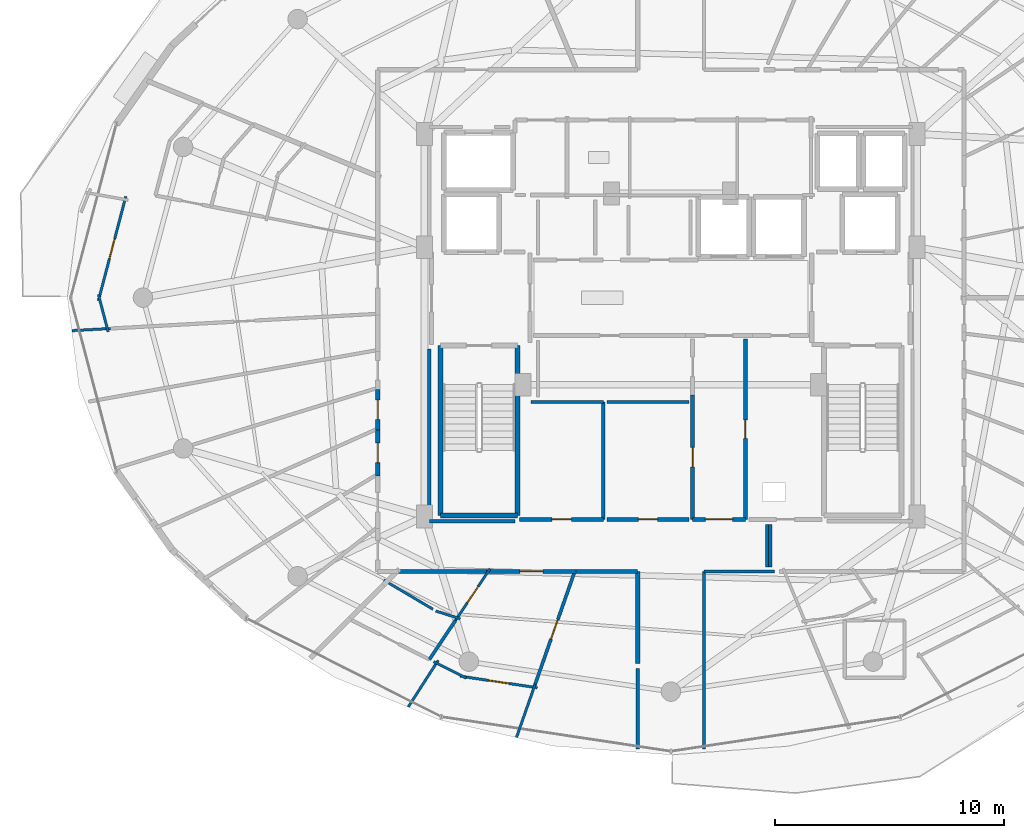
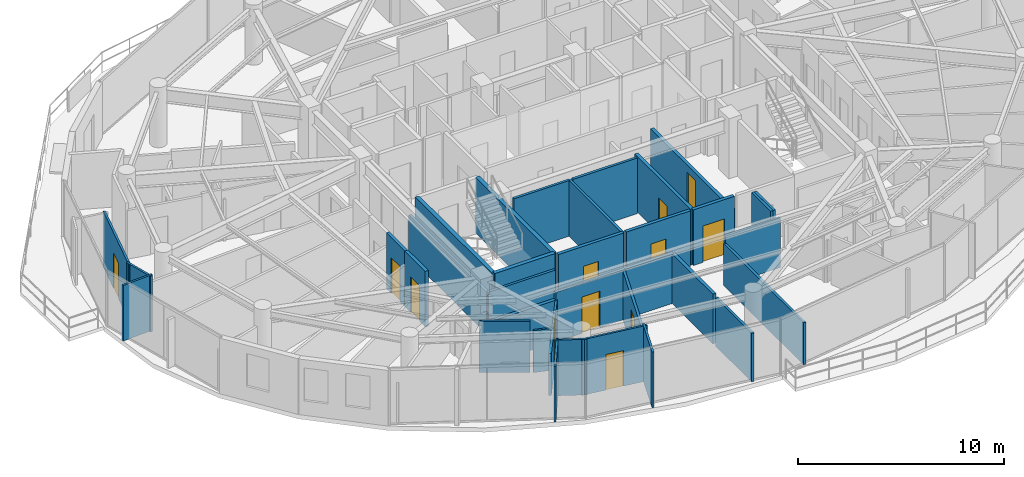
# One storey, part 20 of 29: 36 walls, 12 doors, 12 openings.
"""IFC4 building model written with IfcOpenShell, lengths in metres."""

from ifc_helpers import new_model, si_unit, direction, frame, frame_2d, origin, place, context, subcontext, project, spatial, rectangle, extrude, material, layer, layer_set, type_object, element, fill, save


model = new_model("IFC4")

# Units and contexts
model_context = context("Model", 3, precision=1e-05, world=origin(), true_north=direction((0.0, 1.0)))
body_context = subcontext(model_context, "Body", "Model", "MODEL_VIEW")
ifc_project = project(units=[si_unit("LENGTHUNIT", "METRE"), si_unit("AREAUNIT", "SQUARE_METRE"), si_unit("VOLUMEUNIT", "CUBIC_METRE"), si_unit("PLANEANGLEUNIT", "RADIAN"), si_unit("MASSUNIT", "GRAM", prefix="KILO")], contexts=[model_context])

# Site, building, storey
site_placement = place(None, origin())
site = spatial("IfcSite", under=ifc_project, at=site_placement, CompositionType="ELEMENT")
building_placement = place(site_placement, origin())
building = spatial("IfcBuilding", under=site, at=building_placement, Name="Vorneva Point Tower", CompositionType="ELEMENT")
storey_placement = place(building_placement, frame((0.0, 0.0, 259.10009765625)))
storey = spatial("IfcBuildingStorey", under=building, at=storey_placement, Name="L70", CompositionType="ELEMENT", Elevation=259.10009765625)

# Wall, opening, door
ifc_material_1 = material(Name="Fire-rated acoustic gypsum stud partition", Category="gypsum")
ifc_layer_1 = layer(ifc_material_1, 0.110107421875)
ifc_layer_set_1 = layer_set([ifc_layer_1], Name="Fire-rated acoustic gypsum stud partition")
wall_type_1 = type_object("IfcWallType", Name="WL-PART-110", PredefinedType="PARTITIONING", material=ifc_layer_set_1)
wall_1_placement = place(storey_placement, frame((14.20263671875, 30.41845703125, 0.0), z_axis=(0.0, 0.0, 1.0), x_axis=(-0.254460123068, -0.967083267236, 0.0)))
wall_1 = element("IfcWall", 1, at=wall_1_placement, inside=storey, type_object=wall_type_1, Name="L70 Interior Partition 075", PredefinedType="PARTITIONING", context=body_context, shape_type="SweptSolid", body=[
    extrude(rectangle(XDim=4.708984375, YDim=0.110107421875, at=frame_2d((2.3544921875, 0.0))), origin(), (0.0, 0.0, 1.0), 3.289794921875),
])
opening_1_placement = place(wall_1_placement, frame((1.904296875, 0.0, 0.0)))
opening_1 = element("IfcOpeningElement", 2, at=opening_1_placement, cuts=wall_1, Name="Opening ID-01", PredefinedType="OPENING", context=body_context, shape_type="SweptSolid", body=[
    extrude(rectangle(XDim=0.89990234375, YDim=2.10009765625, at=frame_2d((0.449951171875, 1.050048828125))), frame((0.0, 0.06982421875, 0.0), z_axis=(0.0, -1.0, 0.0), x_axis=(1.0, 0.0, 0.0)), (0.0, 0.0, 1.0), 0.139892578125),
])
ifc_material_2 = material(Name="Engineered oak fire-rated door leaf", Category="wood")
door_type_1 = type_object("IfcDoorType", Name="DR-ROOM-900", OperationType="NOTDEFINED", PredefinedType="DOOR", material=ifc_material_2)
door_1_placement = place(opening_1_placement, origin())
door_1 = element("IfcDoor", 3, at=door_1_placement, inside=storey, type_object=door_type_1, Name="L70 Door Living and Dining Room L70-01 / Kitchen L70-01", OperationType="SINGLE_SWING_LEFT", OverallHeight=2.10009765625, OverallWidth=0.89990234375, PredefinedType="DOOR", context=body_context, shape_type="SweptSolid", body=[
    extrude(rectangle(XDim=0.89990234375, YDim=2.10009765625, at=frame_2d((0.449951171875, 1.050048828125))), frame((0.0, 0.02490234375, 0.0), z_axis=(0.0, -1.0, 0.0), x_axis=(1.0, 0.0, 0.0)), (0.0, 0.0, 1.0), 0.050048828125),
])
fill(opening_1, door_1)

# Walls
wall_2_placement = place(storey_placement, frame((13.00439453125, 26.135498046875, 0.0), z_axis=(0.0, 0.0, 1.0), x_axis=(0.254278727694, -0.967130978018, 0.0)))
element("IfcWall", 4, at=wall_2_placement, inside=storey, type_object=wall_type_1, Name="L70 Interior Partition 076", PredefinedType="PARTITIONING", context=body_context, shape_type="SweptSolid", body=[
    extrude(rectangle(XDim=1.68017578125, YDim=0.110107421875, at=frame_2d((0.840087890625, 0.0))), origin(), (0.0, 0.0, 1.0), 3.289794921875),
])
wall_3_placement = place(storey_placement, frame((13.535888671875, 24.65380859375, 0.0), z_axis=(0.0, 0.0, 1.0), x_axis=(-0.998470551828, -0.055286138695, 0.0)))
element("IfcWall", 5, at=wall_3_placement, inside=storey, type_object=wall_type_1, Name="L70 Interior Partition 077", PredefinedType="PARTITIONING", context=body_context, shape_type="SweptSolid", body=[
    extrude(rectangle(XDim=1.69140625, YDim=0.110107421875, at=frame_2d((0.845703125, 0.0))), origin(), (0.0, 0.0, 1.0), 3.289794921875),
])

# Wall, opening, door
wall_4_placement = place(storey_placement, frame((30.103759765625, 14.16650390625, 0.0), z_axis=(0.0, 0.0, 1.0), x_axis=(-0.555011080332, -0.831842954354, 0.0)))
wall_4 = element("IfcWall", 6, at=wall_4_placement, inside=storey, type_object=wall_type_1, Name="L70 Interior Partition 095", PredefinedType="PARTITIONING", context=body_context, shape_type="SweptSolid", body=[
    extrude(rectangle(XDim=2.718017578125, YDim=0.110107421875, at=frame_2d((1.35888671875, 0.0))), origin(), (0.0, 0.0, 1.0), 2.48193359375),
])
opening_2_placement = place(wall_4_placement, frame((0.93408203125, 0.0, 0.0)))
opening_2 = element("IfcOpeningElement", 7, at=opening_2_placement, cuts=wall_4, Name="Opening ID-02", PredefinedType="OPENING", context=body_context, shape_type="SweptSolid", body=[
    extrude(rectangle(XDim=0.85009765625, YDim=2.10009765625, at=frame_2d((0.425048828125, 1.050048828125))), frame((0.0, 0.06982421875, 0.0), z_axis=(0.0, -1.0, 0.0), x_axis=(1.0, 0.0, 0.0)), (0.0, 0.0, 1.0), 0.139892578125),
])
door_type_2 = type_object("IfcDoorType", Name="DR-BATH-850", OperationType="NOTDEFINED", PredefinedType="DOOR", material=ifc_material_2)
door_2_placement = place(opening_2_placement, origin())
door_2 = element("IfcDoor", 8, at=door_2_placement, inside=storey, type_object=door_type_2, Name="L70 Door Living and Dining Room L70-02 / Bathroom L70-02", OperationType="SINGLE_SWING_RIGHT", OverallHeight=2.10009765625, OverallWidth=0.85009765625, PredefinedType="DOOR", context=body_context, shape_type="SweptSolid", body=[
    extrude(rectangle(XDim=0.85009765625, YDim=2.10009765625, at=frame_2d((0.425048828125, 1.050048828125))), frame((0.0, 0.02490234375, 0.0), z_axis=(0.0, -1.0, 0.0), x_axis=(1.0, 0.0, 0.0)), (0.0, 0.0, 1.0), 0.050048828125),
])
fill(opening_2, door_2)

# Walls
wall_5_placement = place(storey_placement, frame((26.534423828125, 8.132080078125, 0.0), z_axis=(0.0, 0.0, 1.0), x_axis=(0.540114041626, 0.841591838149, 0.0)))
element("IfcWall", 9, at=wall_5_placement, inside=storey, type_object=wall_type_1, Name="L70 Interior Partition 096", PredefinedType="PARTITIONING", context=body_context, shape_type="SweptSolid", body=[
    extrude(rectangle(XDim=2.41650390625, YDim=0.110107421875, at=frame_2d((1.208251953125, 0.0))), origin(), (0.0, 0.0, 1.0), 3.289794921875),
])
wall_6_placement = place(storey_placement, frame((27.638916015625, 10.111083984375, 0.0), z_axis=(0.0, 0.0, 1.0), x_axis=(0.892614165752, -0.45082141819, 0.0)))
element("IfcWall", 10, at=wall_6_placement, inside=storey, type_object=wall_type_1, Name="L70 Interior Partition 097", PredefinedType="PARTITIONING", context=body_context, shape_type="SweptSolid", body=[
    extrude(rectangle(XDim=1.595458984375, YDim=0.110107421875, at=frame_2d((0.7978515625, 0.0))), origin(), (0.0, 0.0, 1.0), 3.289794921875),
])

# Wall, opening, door
wall_7_placement = place(storey_placement, frame((28.799560546875, 9.475830078125, 0.0), z_axis=(0.0, 0.0, 1.0), x_axis=(0.988903707347, -0.148557926731, 0.0)))
wall_7 = element("IfcWall", 11, at=wall_7_placement, inside=storey, type_object=wall_type_1, Name="L70 Interior Partition 098", PredefinedType="PARTITIONING", context=body_context, shape_type="SweptSolid", body=[
    extrude(rectangle(XDim=3.403564453125, YDim=0.110107421875, at=frame_2d((1.70166015625, 0.0))), origin(), (0.0, 0.0, 1.0), 3.289794921875),
])
opening_3_placement = place(wall_7_placement, frame((1.251708984375, 0.0, 0.0)))
opening_3 = element("IfcOpeningElement", 12, at=opening_3_placement, cuts=wall_7, Name="Opening ID-01", PredefinedType="OPENING", context=body_context, shape_type="SweptSolid", body=[
    extrude(rectangle(XDim=0.89990234375, YDim=2.10009765625, at=frame_2d((0.449951171875, 1.050048828125))), frame((0.0, 0.06982421875, 0.0), z_axis=(0.0, -1.0, 0.0), x_axis=(1.0, 0.0, 0.0)), (0.0, 0.0, 1.0), 0.139892578125),
])
door_3_placement = place(opening_3_placement, origin())
door_3 = element("IfcDoor", 13, at=door_3_placement, inside=storey, type_object=door_type_1, Name="L70 Door Living and Dining Room L70-02 / Kitchen L70-02", OperationType="SINGLE_SWING_RIGHT", OverallHeight=2.10009765625, OverallWidth=0.89990234375, PredefinedType="DOOR", context=body_context, shape_type="SweptSolid", body=[
    extrude(rectangle(XDim=0.89990234375, YDim=2.10009765625, at=frame_2d((0.449951171875, 1.050048828125))), frame((0.0, 0.02490234375, 0.0), z_axis=(0.0, -1.0, 0.0), x_axis=(1.0, 0.0, 0.0)), (0.0, 0.0, 1.0), 0.050048828125),
])
fill(opening_3, door_3)

# Walls
wall_8_placement = place(storey_placement, frame((25.472412109375, 13.664306640625, 0.0), z_axis=(0.0, 0.0, 1.0), x_axis=(0.860546797705, -0.509371386082, 0.0)))
element("IfcWall", 14, at=wall_8_placement, inside=storey, type_object=wall_type_1, Name="L70 Interior Partition 102", PredefinedType="PARTITIONING", context=body_context, shape_type="SweptSolid", body=[
    extrude(rectangle(XDim=2.484619140625, YDim=0.110107421875, at=frame_2d((1.2421875, 0.0))), origin(), (0.0, 0.0, 1.0), 3.02197265625),
])
wall_9_placement = place(storey_placement, frame((27.736572265625, 12.320556640625, 0.0), z_axis=(0.0, 0.0, 1.0), x_axis=(0.952754298981, -0.303742071127, 0.0)))
element("IfcWall", 15, at=wall_9_placement, inside=storey, type_object=wall_type_1, Name="L70 Interior Partition 103", PredefinedType="PARTITIONING", context=body_context, shape_type="SweptSolid", body=[
    extrude(rectangle(XDim=1.122802734375, YDim=0.110107421875, at=frame_2d((0.5615234375, 0.0))), origin(), (0.0, 0.0, 1.0), 2.48193359375),
])
wall_10_placement = place(storey_placement, frame((31.258544921875, 6.802978515625, 0.0), z_axis=(0.0, 0.0, 1.0), x_axis=(0.331407174133, 0.943487829775, 0.0)))
element("IfcWall", 16, at=wall_10_placement, inside=storey, type_object=wall_type_1, Name="L70 Interior Partition 104", PredefinedType="PARTITIONING", context=body_context, shape_type="SweptSolid", body=[
    extrude(rectangle(XDim=2.458984375, YDim=0.110107421875, at=frame_2d((1.2294921875, 0.0))), origin(), (0.0, 0.0, 1.0), 3.289794921875),
])
ifc_layer_2 = layer(ifc_material_1, 0.139892578125)
ifc_layer_set_2 = layer_set([ifc_layer_2], Name="Fire-rated acoustic gypsum stud partition")
wall_type_2 = type_object("IfcWallType", Name="WL-PART-140", PredefinedType="PARTITIONING", material=ifc_layer_set_2)
wall_11_placement = place(storey_placement, frame((35.050048828125, 16.320068359375, 0.0), z_axis=(0.0, 0.0, 1.0), x_axis=(0.0, 1.0, 0.0)))
element("IfcWall", 17, at=wall_11_placement, inside=storey, type_object=wall_type_2, Name="L70 Interior Partition 028", PredefinedType="PARTITIONING", context=body_context, shape_type="SweptSolid", body=[
    extrude(rectangle(XDim=5.1298828125, YDim=0.139892578125, at=frame_2d((2.56494140625, 0.0))), origin(), (0.0, 0.0, 1.0), 3.289794921875),
])
wall_12_placement = place(storey_placement, frame((35.050048828125, 21.449951171875, 0.0), z_axis=(0.0, 0.0, 1.0), x_axis=(-1.0, 0.0, 0.0)))
element("IfcWall", 18, at=wall_12_placement, inside=storey, type_object=wall_type_2, Name="L70 Interior Partition 029", PredefinedType="PARTITIONING", context=body_context, shape_type="SweptSolid", body=[
    extrude(rectangle(XDim=3.155029296875, YDim=0.139892578125, at=frame_2d((1.57763671875, 0.0))), origin(), (0.0, 0.0, 1.0), 3.289794921875),
])
wall_13_placement = place(storey_placement, frame((38.800048828125, 21.449951171875, 0.0), z_axis=(0.0, 0.0, 1.0), x_axis=(-1.0, 0.0, 0.0)))
element("IfcWall", 19, at=wall_13_placement, inside=storey, type_object=wall_type_2, Name="L70 Interior Partition 031", PredefinedType="PARTITIONING", context=body_context, shape_type="SweptSolid", body=[
    extrude(rectangle(XDim=3.60009765625, YDim=0.139892578125, at=frame_2d((1.800048828125, 0.0))), origin(), (0.0, 0.0, 1.0), 3.289794921875),
])
wall_14_placement = place(storey_placement, frame((28.59521484375, 11.905517578125, 0.0), z_axis=(0.0, 0.0, 1.0), x_axis=(-0.555085472594, -0.831793314541, 0.0)))
element("IfcWall", 20, at=wall_14_placement, inside=storey, type_object=wall_type_2, Name="L70 Interior Partition 100", PredefinedType="PARTITIONING", context=body_context, shape_type="SweptSolid", body=[
    extrude(rectangle(XDim=2.046875, YDim=0.139892578125, at=frame_2d((1.0234375, 0.0))), origin(), (0.0, 0.0, 1.0), 2.48193359375),
])

# Wall, opening, door
wall_15_placement = place(storey_placement, frame((32.027099609375, 8.990966796875, 0.0), z_axis=(0.0, 0.0, 1.0), x_axis=(0.331214316781, 0.943555550224, 0.0)))
wall_15 = element("IfcWall", 21, at=wall_15_placement, inside=storey, type_object=wall_type_2, Name="L70 Interior Partition 101", PredefinedType="PARTITIONING", context=body_context, shape_type="SweptSolid", body=[
    extrude(rectangle(XDim=5.36181640625, YDim=0.139892578125, at=frame_2d((2.680908203125, 0.0))), origin(), (0.0, 0.0, 1.0), 2.8740234375),
])
opening_4_placement = place(wall_15_placement, frame((2.230712890625, 0.0, 0.0)))
opening_4 = element("IfcOpeningElement", 22, at=opening_4_placement, cuts=wall_15, Name="Opening ID-01", PredefinedType="OPENING", context=body_context, shape_type="SweptSolid", body=[
    extrude(rectangle(XDim=0.89990234375, YDim=2.10009765625, at=frame_2d((0.449951171875, 1.050048828125))), frame((0.0, 0.0849609375, 0.0), z_axis=(0.0, -1.0, 0.0), x_axis=(1.0, 0.0, 0.0)), (0.0, 0.0, 1.0), 0.169677734375),
])
door_4_placement = place(opening_4_placement, origin())
door_4 = element("IfcDoor", 23, at=door_4_placement, inside=storey, type_object=door_type_1, Name="L70 Door Living and Dining Room L70-02 / Master Bedroom L70-02.1", OperationType="SINGLE_SWING_LEFT", OverallHeight=2.10009765625, OverallWidth=0.89990234375, PredefinedType="DOOR", context=body_context, shape_type="SweptSolid", body=[
    extrude(rectangle(XDim=0.89990234375, YDim=2.10009765625, at=frame_2d((0.449951171875, 1.050048828125))), frame((0.0, 0.02490234375, 0.0), z_axis=(0.0, -1.0, 0.0), x_axis=(1.0, 0.0, 0.0)), (0.0, 0.0, 1.0), 0.050048828125),
])
fill(opening_4, door_4)

# Walls
wall_16_placement = place(storey_placement, frame((36.550048828125, 9.802978515625, 0.0), z_axis=(0.0, 0.0, 1.0), x_axis=(0.0, -1.0, 0.0)))
element("IfcWall", 24, at=wall_16_placement, inside=storey, type_object=wall_type_2, Name="L70 Interior Closure Partition 152", PredefinedType="PARTITIONING", context=body_context, shape_type="SweptSolid", body=[
    extrude(rectangle(XDim=3.50390625, YDim=0.139892578125, at=frame_2d((1.751953125, 0.0))), origin(), (0.0, 0.0, 1.0), 2.8740234375),
])
wall_17_placement = place(storey_placement, frame((39.449951171875, 6.299072265625, 0.0), z_axis=(0.0, 0.0, 1.0), x_axis=(0.0, 1.0, 0.0)))
element("IfcWall", 25, at=wall_17_placement, inside=storey, type_object=wall_type_2, Name="L70 Interior Closure Partition 153", PredefinedType="PARTITIONING", context=body_context, shape_type="SweptSolid", body=[
    extrude(rectangle(XDim=7.7509765625, YDim=0.139892578125, at=frame_2d((3.87548828125, 0.0))), origin(), (0.0, 0.0, 1.0), 2.48193359375),
])
wall_18_placement = place(storey_placement, frame((39.449951171875, 14.050048828125, 0.0), z_axis=(0.0, 0.0, 1.0), x_axis=(1.0, 0.0, 0.0)))
element("IfcWall", 26, at=wall_18_placement, inside=storey, type_object=wall_type_2, Name="L70 Interior Closure Partition 154", PredefinedType="PARTITIONING", context=body_context, shape_type="SweptSolid", body=[
    extrude(rectangle(XDim=3.080078125, YDim=0.139892578125, at=frame_2d((1.5400390625, 0.0))), origin(), (0.0, 0.0, 1.0), 2.935791015625),
])
wall_19_placement = place(storey_placement, frame((42.340087890625, 14.25, 0.0), z_axis=(0.0, 0.0, 1.0), x_axis=(0.0, 1.0, 0.0)))
element("IfcWall", 27, at=wall_19_placement, inside=storey, type_object=wall_type_2, Name="L70 Interior Closure Partition 157", PredefinedType="PARTITIONING", context=body_context, shape_type="SweptSolid", body=[
    extrude(rectangle(XDim=1.85009765625, YDim=0.139892578125, at=frame_2d((0.925048828125, 0.0))), origin(), (0.0, 0.0, 1.0), 3.289794921875),
])
wall_20_placement = place(storey_placement, frame((27.449951171875, 23.75390625, 0.0), z_axis=(0.0, 0.0, 1.0), x_axis=(0.0, -1.0, 0.0)))
element("IfcWall", 28, at=wall_20_placement, inside=storey, type_object=wall_type_2, Name="L70 Interior Closure Partition 165", PredefinedType="PARTITIONING", context=body_context, shape_type="SweptSolid", body=[
    extrude(rectangle(XDim=7.513916015625, YDim=0.139892578125, at=frame_2d((3.7568359375, 0.0))), origin(), (0.0, 0.0, 1.0), 2.48193359375),
])
wall_21_placement = place(storey_placement, frame((27.449951171875, 16.239990234375, 0.0), z_axis=(0.0, 0.0, 1.0), x_axis=(1.0, 0.0, 0.0)))
element("IfcWall", 29, at=wall_21_placement, inside=storey, type_object=wall_type_2, Name="L70 Interior Closure Partition 166", PredefinedType="PARTITIONING", context=body_context, shape_type="SweptSolid", body=[
    extrude(rectangle(XDim=3.7451171875, YDim=0.139892578125, at=frame_2d((1.87255859375, 0.0))), origin(), (0.0, 0.0, 1.0), 2.48193359375),
])
wall_22_placement = place(storey_placement, frame((42.199951171875, 16.10009765625, 0.0), z_axis=(0.0, 0.0, 1.0), x_axis=(0.0, -1.0, 0.0)))
element("IfcWall", 30, at=wall_22_placement, inside=storey, type_object=wall_type_2, Name="L70 Interior Closure Partition 167", PredefinedType="PARTITIONING", context=body_context, shape_type="SweptSolid", body=[
    extrude(rectangle(XDim=1.85009765625, YDim=0.139892578125, at=frame_2d((0.925048828125, 0.0))), origin(), (0.0, 0.0, 1.0), 3.289794921875),
])

# Wall, opening, door
ifc_material_3 = material(Name="Autoclaved aerated concrete blockwork", Category="masonry")
ifc_layer_3 = layer(ifc_material_3, 0.179931640625)
ifc_layer_set_3 = layer_set([ifc_layer_3], Name="Autoclaved aerated concrete blockwork")
wall_type_3 = type_object("IfcWallType", Name="WL-PART-180", PredefinedType="PARTITIONING", material=ifc_layer_set_3)
wall_23_placement = place(storey_placement, frame((41.25, 16.320068359375, 0.0), z_axis=(0.0, 0.0, 1.0), x_axis=(0.0, 1.0, 0.0)))
wall_23 = element("IfcWall", 31, at=wall_23_placement, inside=storey, type_object=wall_type_3, Name="L70 Interior Partition 015", PredefinedType="PARTITIONING", context=body_context, shape_type="SweptSolid", body=[
    extrude(rectangle(XDim=7.8798828125, YDim=0.179931640625, at=frame_2d((3.93994140625, 0.0))), origin(), (0.0, 0.0, 1.0), 2.48193359375),
])
opening_5_placement = place(wall_23_placement, frame((3.5400390625, 0.0, 0.0)))
opening_5 = element("IfcOpeningElement", 32, at=opening_5_placement, cuts=wall_23, Name="Opening RD-01", PredefinedType="OPENING", context=body_context, shape_type="SweptSolid", body=[
    extrude(rectangle(XDim=0.800048828125, YDim=2.050048828125, at=frame_2d((0.39990234375, 1.02490234375))), frame((0.0, 0.10498046875, 0.0), z_axis=(0.0, -1.0, 0.0), x_axis=(1.0, 0.0, 0.0)), (0.0, 0.0, 1.0), 0.209716796875),
])
ifc_material_4 = material(Name="Fire-rated powder-coated steel", Category="steel")
door_type_3 = type_object("IfcDoorType", Name="DR-RSR-800", OperationType="SINGLE_SWING_LEFT", PredefinedType="DOOR", material=ifc_material_4)
door_5_placement = place(opening_5_placement, origin())
door_5 = element("IfcDoor", 33, at=door_5_placement, inside=storey, type_object=door_type_3, Name="L70 Door Core Service Lobby / Electrical Riser", OperationType="SINGLE_SWING_LEFT", OverallHeight=2.050048828125, OverallWidth=0.800048828125, PredefinedType="DOOR", context=body_context, shape_type="SweptSolid", body=[
    extrude(rectangle(XDim=0.800048828125, YDim=2.050048828125, at=frame_2d((0.39990234375, 1.02490234375))), frame((0.0, 0.02490234375, 0.0), z_axis=(0.0, -1.0, 0.0), x_axis=(1.0, 0.0, 0.0)), (0.0, 0.0, 1.0), 0.050048828125),
])
fill(opening_5, door_5)

wall_24_placement = place(storey_placement, frame((38.949951171875, 21.7548828125, 0.0), z_axis=(0.0, 0.0, 1.0), x_axis=(0.0, -1.0, 0.0)))
wall_24 = element("IfcWall", 34, at=wall_24_placement, inside=storey, type_object=wall_type_3, Name="L70 Interior Partition 016", PredefinedType="PARTITIONING", context=body_context, shape_type="SweptSolid", body=[
    extrude(rectangle(XDim=5.434814453125, YDim=0.179931640625, at=frame_2d((2.71728515625, 0.0))), origin(), (0.0, 0.0, 1.0), 3.289794921875),
])
opening_6_placement = place(wall_24_placement, frame((2.29248046875, 0.0, 0.0)))
opening_6 = element("IfcOpeningElement", 35, at=opening_6_placement, cuts=wall_24, Name="Opening ID-02", PredefinedType="OPENING", context=body_context, shape_type="SweptSolid", body=[
    extrude(rectangle(XDim=0.85009765625, YDim=2.10009765625, at=frame_2d((0.425048828125, 1.050048828125))), frame((0.0, 0.10498046875, 0.0), z_axis=(0.0, -1.0, 0.0), x_axis=(1.0, 0.0, 0.0)), (0.0, 0.0, 1.0), 0.209716796875),
])
door_6_placement = place(opening_6_placement, origin())
door_6 = element("IfcDoor", 36, at=door_6_placement, inside=storey, type_object=door_type_2, Name="L70 Door Core Service Lobby / Tenant Equipment Store", OperationType="SINGLE_SWING_RIGHT", OverallHeight=2.10009765625, OverallWidth=0.85009765625, PredefinedType="DOOR", context=body_context, shape_type="SweptSolid", body=[
    extrude(rectangle(XDim=0.85009765625, YDim=2.10009765625, at=frame_2d((0.425048828125, 1.050048828125))), frame((0.0, 0.02490234375, 0.0), z_axis=(0.0, -1.0, 0.0), x_axis=(1.0, 0.0, 0.0)), (0.0, 0.0, 1.0), 0.050048828125),
])
fill(opening_6, door_6)

wall_25_placement = place(storey_placement, frame((38.949951171875, 16.320068359375, 0.0), z_axis=(0.0, 0.0, 1.0), x_axis=(1.0, 0.0, 0.0)))
wall_25 = element("IfcWall", 37, at=wall_25_placement, inside=storey, type_object=wall_type_3, Name="L70 Interior Partition 018", PredefinedType="PARTITIONING", context=body_context, shape_type="SweptSolid", body=[
    extrude(rectangle(XDim=2.300048828125, YDim=0.179931640625, at=frame_2d((1.14990234375, 0.0))), origin(), (0.0, 0.0, 1.0), 3.289794921875),
])
opening_7_placement = place(wall_25_placement, frame((0.550048828125, 0.0, 0.0)))
opening_7 = element("IfcOpeningElement", 38, at=opening_7_placement, cuts=wall_25, Name="Opening FD-02", PredefinedType="OPENING", context=body_context, shape_type="SweptSolid", body=[
    extrude(rectangle(XDim=1.199951171875, YDim=2.14990234375, at=frame_2d((0.60009765625, 1.074951171875))), frame((0.0, 0.10498046875, 0.0), z_axis=(0.0, -1.0, 0.0), x_axis=(1.0, 0.0, 0.0)), (0.0, 0.0, 1.0), 0.209716796875),
])
door_type_4 = type_object("IfcDoorType", Name="DR-FFL-1200", OperationType="NOTDEFINED", PredefinedType="DOOR", material=ifc_material_4)
door_7_placement = place(opening_7_placement, origin())
door_7 = element("IfcDoor", 39, at=door_7_placement, inside=storey, type_object=door_type_4, Name="L70 Door Core Service Lobby / L70 Circulation Corridor", OperationType="SINGLE_SWING_RIGHT", OverallHeight=2.14990234375, OverallWidth=1.199951171875, PredefinedType="DOOR", context=body_context, shape_type="SweptSolid", body=[
    extrude(rectangle(XDim=1.199951171875, YDim=2.14990234375, at=frame_2d((0.60009765625, 1.074951171875))), frame((0.0, 0.02490234375, 0.0), z_axis=(0.0, -1.0, 0.0), x_axis=(1.0, 0.0, 0.0)), (0.0, 0.0, 1.0), 0.050048828125),
])
fill(opening_7, door_7)

wall_26_placement = place(storey_placement, frame((31.39990234375, 16.320068359375, 0.0), z_axis=(0.0, 0.0, 1.0), x_axis=(1.0, 0.0, 0.0)))
wall_26 = element("IfcWall", 40, at=wall_26_placement, inside=storey, type_object=wall_type_3, Name="L70 Interior Partition 030", PredefinedType="PARTITIONING", context=body_context, shape_type="SweptSolid", body=[
    extrude(rectangle(XDim=3.650146484375, YDim=0.179931640625, at=frame_2d((1.8251953125, 0.0))), origin(), (0.0, 0.0, 1.0), 3.289794921875),
])
opening_8_placement = place(wall_26_placement, frame((1.39990234375, 0.0, 0.0)))
opening_8 = element("IfcOpeningElement", 41, at=opening_8_placement, cuts=wall_26, Name="Opening ID-02", PredefinedType="OPENING", context=body_context, shape_type="SweptSolid", body=[
    extrude(rectangle(XDim=0.85009765625, YDim=2.10009765625, at=frame_2d((0.425048828125, 1.050048828125))), frame((0.0, 0.10498046875, 0.0), z_axis=(0.0, -1.0, 0.0), x_axis=(1.0, 0.0, 0.0)), (0.0, 0.0, 1.0), 0.209716796875),
])
door_8_placement = place(opening_8_placement, origin())
door_8 = element("IfcDoor", 42, at=door_8_placement, inside=storey, type_object=door_type_2, Name="L70 Door Cleaners Store / L70 Circulation Corridor", OperationType="SINGLE_SWING_LEFT", OverallHeight=2.10009765625, OverallWidth=0.85009765625, PredefinedType="DOOR", context=body_context, shape_type="SweptSolid", body=[
    extrude(rectangle(XDim=0.85009765625, YDim=2.10009765625, at=frame_2d((0.425048828125, 1.050048828125))), frame((0.0, 0.02490234375, 0.0), z_axis=(0.0, -1.0, 0.0), x_axis=(1.0, 0.0, 0.0)), (0.0, 0.0, 1.0), 0.050048828125),
])
fill(opening_8, door_8)

wall_27_placement = place(storey_placement, frame((35.199951171875, 16.320068359375, 0.0), z_axis=(0.0, 0.0, 1.0), x_axis=(1.0, 0.0, 0.0)))
wall_27 = element("IfcWall", 43, at=wall_27_placement, inside=storey, type_object=wall_type_3, Name="L70 Interior Partition 032", PredefinedType="PARTITIONING", context=body_context, shape_type="SweptSolid", body=[
    extrude(rectangle(XDim=3.60009765625, YDim=0.179931640625, at=frame_2d((1.800048828125, 0.0))), origin(), (0.0, 0.0, 1.0), 3.289794921875),
])
opening_9_placement = place(wall_27_placement, frame((1.375, 0.0, 0.0)))
opening_9 = element("IfcOpeningElement", 44, at=opening_9_placement, cuts=wall_27, Name="Opening ID-02", PredefinedType="OPENING", context=body_context, shape_type="SweptSolid", body=[
    extrude(rectangle(XDim=0.85009765625, YDim=2.10009765625, at=frame_2d((0.425048828125, 1.050048828125))), frame((0.0, 0.10498046875, 0.0), z_axis=(0.0, -1.0, 0.0), x_axis=(1.0, 0.0, 0.0)), (0.0, 0.0, 1.0), 0.209716796875),
])
door_9_placement = place(opening_9_placement, origin())
door_9 = element("IfcDoor", 45, at=door_9_placement, inside=storey, type_object=door_type_2, Name="L70 Door Tenant Equipment Store / L70 Circulation Corridor", OperationType="SINGLE_SWING_RIGHT", OverallHeight=2.10009765625, OverallWidth=0.85009765625, PredefinedType="DOOR", context=body_context, shape_type="SweptSolid", body=[
    extrude(rectangle(XDim=0.85009765625, YDim=2.10009765625, at=frame_2d((0.425048828125, 1.050048828125))), frame((0.0, 0.02490234375, 0.0), z_axis=(0.0, -1.0, 0.0), x_axis=(1.0, 0.0, 0.0)), (0.0, 0.0, 1.0), 0.050048828125),
])
fill(opening_9, door_9)

wall_28_placement = place(storey_placement, frame((25.199951171875, 21.9990234375, 0.0), z_axis=(0.0, 0.0, 1.0), x_axis=(0.0, -1.0, 0.0)))
wall_28 = element("IfcWall", 46, at=wall_28_placement, inside=storey, type_object=wall_type_3, Name="L70 Interior Partition 037", PredefinedType="PARTITIONING", context=body_context, shape_type="SweptSolid", body=[
    extrude(rectangle(XDim=1.783935546875, YDim=0.179931640625, at=frame_2d((0.89208984375, 0.0))), origin(), (0.0, 0.0, 1.0), 3.289794921875),
])
opening_10_placement = place(wall_28_placement, frame((0.467041015625, 0.0, 0.0)))
opening_10 = element("IfcOpeningElement", 47, at=opening_10_placement, cuts=wall_28, Name="Opening ID-02", PredefinedType="OPENING", context=body_context, shape_type="SweptSolid", body=[
    extrude(rectangle(XDim=0.85009765625, YDim=2.10009765625, at=frame_2d((0.425048828125, 1.050048828125))), frame((0.0, 0.10498046875, 0.0), z_axis=(0.0, -1.0, 0.0), x_axis=(1.0, 0.0, 0.0)), (0.0, 0.0, 1.0), 0.209716796875),
])
door_10_placement = place(opening_10_placement, origin())
door_10 = element("IfcDoor", 48, at=door_10_placement, inside=storey, type_object=door_type_2, Name="L70 Access Door L70 Circulation Corridor", OperationType="SINGLE_SWING_LEFT", OverallHeight=2.10009765625, OverallWidth=0.85009765625, PredefinedType="DOOR", context=body_context, shape_type="SweptSolid", body=[
    extrude(rectangle(XDim=0.85009765625, YDim=2.10009765625, at=frame_2d((0.425048828125, 1.050048828125))), frame((0.0, 0.02490234375, 0.0), z_axis=(0.0, -1.0, 0.0), x_axis=(1.0, 0.0, 0.0)), (0.0, 0.0, 1.0), 0.050048828125),
])
fill(opening_10, door_10)

wall_29_placement = place(storey_placement, frame((25.199951171875, 20.215087890625, 0.0), z_axis=(0.0, 0.0, 1.0), x_axis=(0.0, -1.0, 0.0)))
wall_29 = element("IfcWall", 49, at=wall_29_placement, inside=storey, type_object=wall_type_3, Name="L70 Interior Partition 038", PredefinedType="PARTITIONING", context=body_context, shape_type="SweptSolid", body=[
    extrude(rectangle(XDim=1.990966796875, YDim=0.179931640625, at=frame_2d((0.99560546875, 0.0))), origin(), (0.0, 0.0, 1.0), 3.289794921875),
])
opening_11_placement = place(wall_29_placement, frame((0.570556640625, 0.0, 0.0)))
opening_11 = element("IfcOpeningElement", 50, at=opening_11_placement, cuts=wall_29, Name="Opening ID-02", PredefinedType="OPENING", context=body_context, shape_type="SweptSolid", body=[
    extrude(rectangle(XDim=0.85009765625, YDim=2.10009765625, at=frame_2d((0.425048828125, 1.050048828125))), frame((0.0, 0.10498046875, 0.0), z_axis=(0.0, -1.0, 0.0), x_axis=(1.0, 0.0, 0.0)), (0.0, 0.0, 1.0), 0.209716796875),
])
door_11_placement = place(opening_11_placement, origin())
door_11 = element("IfcDoor", 51, at=door_11_placement, inside=storey, type_object=door_type_2, Name="L70 Access Door L70 Circulation Corridor", OperationType="SINGLE_SWING_RIGHT", OverallHeight=2.10009765625, OverallWidth=0.85009765625, PredefinedType="DOOR", context=body_context, shape_type="SweptSolid", body=[
    extrude(rectangle(XDim=0.85009765625, YDim=2.10009765625, at=frame_2d((0.425048828125, 1.050048828125))), frame((0.0, 0.02490234375, 0.0), z_axis=(0.0, -1.0, 0.0), x_axis=(1.0, 0.0, 0.0)), (0.0, 0.0, 1.0), 0.050048828125),
])
fill(opening_11, door_11)

wall_30_placement = place(storey_placement, frame((29.9541015625, 14.050048828125, 0.0), z_axis=(0.0, 0.0, 1.0), x_axis=(1.0, 0.0, 0.0)))
wall_30 = element("IfcWall", 52, at=wall_30_placement, inside=storey, type_object=wall_type_3, Name="L70 Interior Partition 042", PredefinedType="PARTITIONING", context=body_context, shape_type="SweptSolid", body=[
    extrude(rectangle(XDim=3.908935546875, YDim=0.179931640625, at=frame_2d((1.95458984375, 0.0))), origin(), (0.0, 0.0, 1.0), 2.935791015625),
])
opening_12_placement = place(wall_30_placement, frame((1.45458984375, 0.0, 0.0)))
opening_12 = element("IfcOpeningElement", 53, at=opening_12_placement, cuts=wall_30, Name="Opening UD-01", PredefinedType="OPENING", context=body_context, shape_type="SweptSolid", body=[
    extrude(rectangle(XDim=1.0, YDim=2.14990234375, at=frame_2d((0.5, 1.074951171875))), frame((0.0, 0.10498046875, 0.0), z_axis=(0.0, -1.0, 0.0), x_axis=(1.0, 0.0, 0.0)), (0.0, 0.0, 1.0), 0.209716796875),
])
door_type_5 = type_object("IfcDoorType", Name="DR-UNIT-1000", OperationType="NOTDEFINED", PredefinedType="DOOR", material=ifc_material_2)
door_12_placement = place(opening_12_placement, origin())
door_12 = element("IfcDoor", 54, at=door_12_placement, inside=storey, type_object=door_type_5, Name="L70 Door L70 Circulation Corridor / Living and Dining Room L70-02", OperationType="SINGLE_SWING_RIGHT", OverallHeight=2.14990234375, OverallWidth=1.0, PredefinedType="DOOR", context=body_context, shape_type="SweptSolid", body=[
    extrude(rectangle(XDim=1.0, YDim=2.14990234375, at=frame_2d((0.5, 1.074951171875))), frame((0.0, 0.02490234375, 0.0), z_axis=(0.0, -1.0, 0.0), x_axis=(1.0, 0.0, 0.0)), (0.0, 0.0, 1.0), 0.050048828125),
])
fill(opening_12, door_12)

# Walls
wall_31_placement = place(storey_placement, frame((25.969970703125, 14.050048828125, 0.0), z_axis=(0.0, 0.0, 1.0), x_axis=(1.0, 0.0, 0.0)))
element("IfcWall", 55, at=wall_31_placement, inside=storey, type_object=wall_type_3, Name="L70 Interior Partition 043", PredefinedType="PARTITIONING", context=body_context, shape_type="SweptSolid", body=[
    extrude(rectangle(XDim=4.1240234375, YDim=0.179931640625, at=frame_2d((2.06201171875, 0.0))), origin(), (0.0, 0.0, 1.0), 2.48193359375),
])
wall_32_placement = place(storey_placement, frame((33.863037109375, 14.050048828125, 0.0), z_axis=(0.0, 0.0, 1.0), x_axis=(1.0, 0.0, 0.0)))
element("IfcWall", 56, at=wall_32_placement, inside=storey, type_object=wall_type_3, Name="L70 Interior Partition 044", PredefinedType="PARTITIONING", context=body_context, shape_type="SweptSolid", body=[
    extrude(rectangle(XDim=2.68701171875, YDim=0.179931640625, at=frame_2d((1.343505859375, 0.0))), origin(), (0.0, 0.0, 1.0), 2.935791015625),
])
wall_33_placement = place(storey_placement, frame((36.550048828125, 14.050048828125, 0.0), z_axis=(0.0, 0.0, 1.0), x_axis=(0.0, -1.0, 0.0)))
element("IfcWall", 57, at=wall_33_placement, inside=storey, type_object=wall_type_3, Name="L70 Interior Partition 045", PredefinedType="PARTITIONING", context=body_context, shape_type="SweptSolid", body=[
    extrude(rectangle(XDim=4.027099609375, YDim=0.179931640625, at=frame_2d((2.013671875, 0.0))), origin(), (0.0, 0.0, 1.0), 2.935791015625),
])
ifc_material_5 = material(Name="Concrete B50 (C40/50)", Category="concrete")
ifc_layer_4 = layer(ifc_material_5, 0.219970703125)
ifc_layer_set_4 = layer_set([ifc_layer_4], Name="Concrete B50 (C40/50)")
wall_type_4 = type_object("IfcWallType", Name="WL-SHFT-220", PredefinedType="SOLIDWALL", material=ifc_layer_set_4)
wall_34_placement = place(storey_placement, frame((31.31005859375, 23.909912109375, 0.0), z_axis=(0.0, 0.0, 1.0), x_axis=(0.0, -1.0, 0.0)))
element("IfcWall", 58, at=wall_34_placement, inside=storey, type_object=wall_type_4, Name="L70 Exit Stair ST1 Shaft Wall right", PredefinedType="SOLIDWALL", context=body_context, shape_type="SweptSolid", body=[
    extrude(rectangle(XDim=7.419921875, YDim=0.219970703125, at=frame_2d((3.7099609375, 0.0))), origin(), (0.0, 0.0, 1.0), 3.289794921875),
])
wall_35_placement = place(storey_placement, frame((31.31005859375, 16.489990234375, 0.0), z_axis=(0.0, 0.0, 1.0), x_axis=(-1.0, 0.0, 0.0)))
element("IfcWall", 59, at=wall_35_placement, inside=storey, type_object=wall_type_4, Name="L70 Exit Stair ST1 Shaft Wall far", PredefinedType="SOLIDWALL", context=body_context, shape_type="SweptSolid", body=[
    extrude(rectangle(XDim=3.3701171875, YDim=0.219970703125, at=frame_2d((1.68505859375, 0.0))), origin(), (0.0, 0.0, 1.0), 3.289794921875),
])
wall_36_placement = place(storey_placement, frame((27.93994140625, 16.489990234375, 0.0), z_axis=(0.0, 0.0, 1.0), x_axis=(0.0, 1.0, 0.0)))
element("IfcWall", 60, at=wall_36_placement, inside=storey, type_object=wall_type_4, Name="L70 Exit Stair ST1 Shaft Wall left", PredefinedType="SOLIDWALL", context=body_context, shape_type="SweptSolid", body=[
    extrude(rectangle(XDim=7.419921875, YDim=0.219970703125, at=frame_2d((3.7099609375, 0.0))), origin(), (0.0, 0.0, 1.0), 3.289794921875),
])

save(model, "model.ifc")
